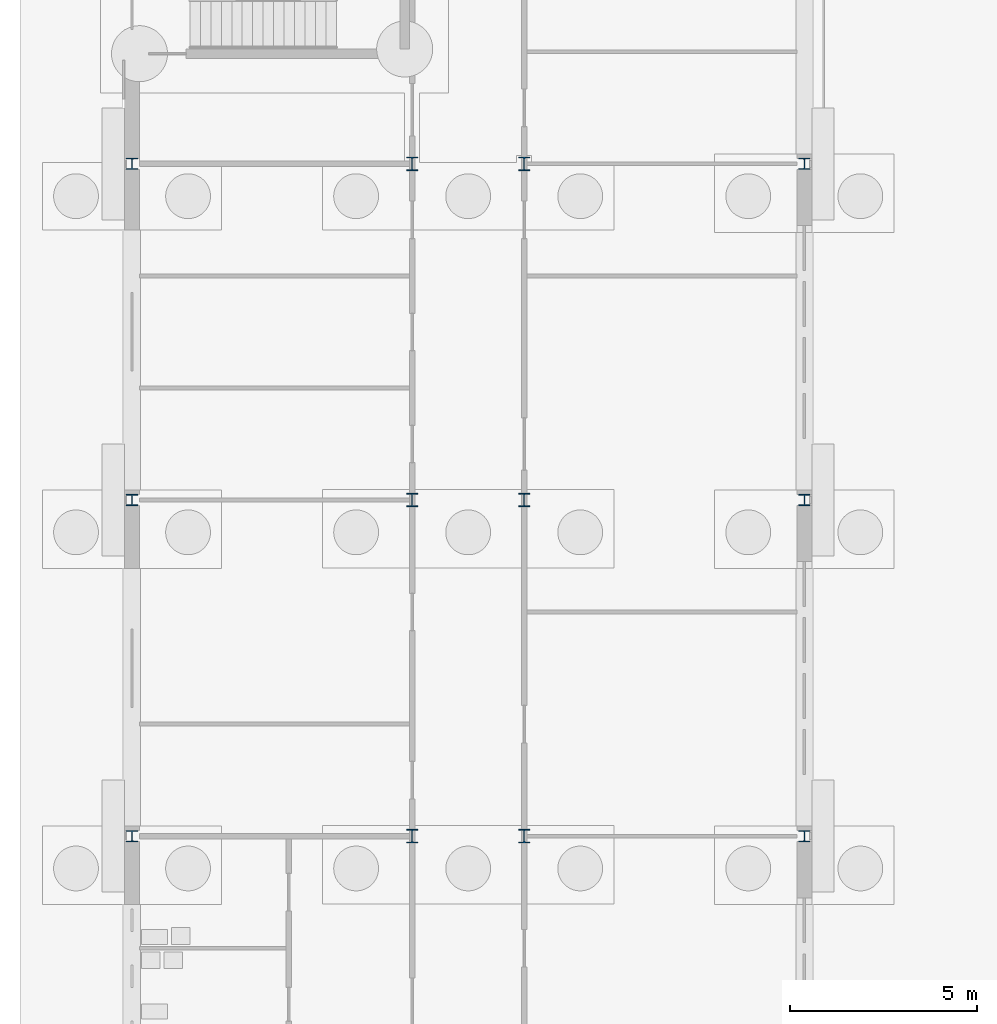
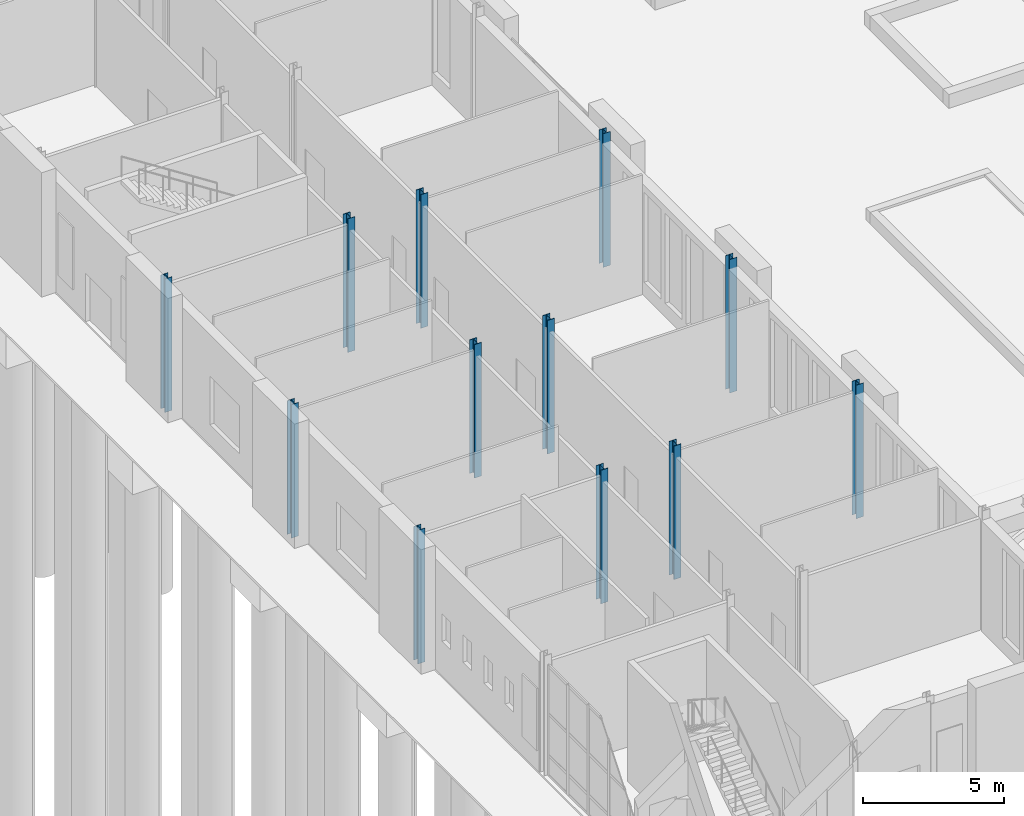
# One storey, part 12 of 168: 12 columns.
"""IFC4 building model written with IfcOpenShell, lengths in metres."""

from ifc_helpers import new_model, si_unit, direction, frame, origin, origin_2d, place, context, subcontext, project, spatial, i_section, extrude, material, material_profile, profile_set, type_object, element, save


model = new_model("IFC4")

# Units and contexts
model_context = context("Model", 3, precision=1e-05, world=origin(), true_north=direction((0.0, 1.0)))
body_context = subcontext(model_context, "Body", "Model", "MODEL_VIEW")
ifc_project = project(units=[si_unit("LENGTHUNIT", "METRE"), si_unit("AREAUNIT", "SQUARE_METRE"), si_unit("VOLUMEUNIT", "CUBIC_METRE"), si_unit("PLANEANGLEUNIT", "RADIAN"), si_unit("MASSUNIT", "GRAM", prefix="KILO")], contexts=[model_context])

# Site, building, storey
site_placement = place(None, origin())
site = spatial("IfcSite", under=ifc_project, at=site_placement, CompositionType="ELEMENT")
building_placement = place(site_placement, origin())
building = spatial("IfcBuilding", under=site, at=building_placement, Name="Golden Quay Civic Hall", CompositionType="ELEMENT")
storey_placement = place(building_placement, origin())
storey = spatial("IfcBuildingStorey", under=building, at=storey_placement, Name="L00", CompositionType="ELEMENT", Elevation=0.0)

# Columns
ifc_material_1 = material(Name="Steel S355", Category="steel")
ifc_material_profile_1 = material_profile(ifc_material_1, i_section(OverallWidth=0.300048828125, OverallDepth=0.300048828125, WebThickness=0.010986328125, FlangeThickness=0.01904296875, FilletRadius=0.027099609375, at=origin_2d()), Name="HEB 300")
ifc_profile_set_1 = profile_set([ifc_material_profile_1], Name="Steel S355")
column_type_1 = type_object("IfcColumnType", Name="Steel column HEB 300", PredefinedType="COLUMN", material=ifc_profile_set_1)
for number, where, z_axis, x_axis, name in (
    (1, (0.0, 9.0, -0.60009765625), (0.0, 0.0, 1.0), (1.0, 0.0, 0.0), "Column 0/9 L00"),
    (2, (0.0, 18.0, -0.60009765625), (0.0, 0.0, 1.0), (1.0, 0.0, 0.0), "Column 0/18 L00"),
    (3, (0.0, 27.0, -0.60009765625), (0.0, 0.0, 1.0), (1.0, 0.0, 0.0), "Column 0/27 L00"),
    (4, (18.0, 9.0, -0.60009765625), (0.0, 0.0, 1.0), (1.0, 0.0, 0.0), "Column 18/9 L00"),
    (5, (18.0, 18.0, -0.60009765625), (0.0, 0.0, 1.0), (1.0, 0.0, 0.0), "Column 18/18 L00"),
    (6, (18.0, 27.0, -0.60009765625), (0.0, 0.0, 1.0), (1.0, 0.0, 0.0), "Column 18/27 L00"),
):
    element("IfcColumn", number, at=place(storey_placement, frame(where, z_axis=z_axis, x_axis=x_axis)), inside=storey, type_object=column_type_1, Name=name, PredefinedType="COLUMN", context=body_context, shape_type="SweptSolid", body=[
        extrude(i_section(OverallWidth=0.300048828125, OverallDepth=0.300048828125, WebThickness=0.010986328125, FlangeThickness=0.01904296875, FilletRadius=0.027099609375, at=origin_2d()), origin(), (0.0, 0.0, 1.0), 5.800048828125),
    ])
ifc_material_2 = material(Name="Steel S355", Category="steel")
ifc_material_profile_2 = material_profile(ifc_material_2, i_section(OverallWidth=0.300048828125, OverallDepth=0.360107421875, WebThickness=0.012451171875, FlangeThickness=0.0224609375, FilletRadius=0.027099609375, at=origin_2d()), Name="HEB 360")
ifc_profile_set_2 = profile_set([ifc_material_profile_2], Name="Steel S355")
column_type_2 = type_object("IfcColumnType", Name="Steel column HEB 360", PredefinedType="COLUMN", material=ifc_profile_set_2)
for number, where, z_axis, x_axis, name in (
    (7, (7.5, 9.0, -0.60009765625), (0.0, 0.0, 1.0), (1.0, 0.0, 0.0), "Column 7.5/9 L00"),
    (8, (7.5, 18.0, -0.60009765625), (0.0, 0.0, 1.0), (1.0, 0.0, 0.0), "Column 7.5/18 L00"),
    (9, (7.5, 27.0, -0.60009765625), (0.0, 0.0, 1.0), (1.0, 0.0, 0.0), "Column 7.5/27 L00"),
    (10, (10.5, 9.0, -0.60009765625), (0.0, 0.0, 1.0), (1.0, 0.0, 0.0), "Column 10.5/9 L00"),
    (11, (10.5, 18.0, -0.60009765625), (0.0, 0.0, 1.0), (1.0, 0.0, 0.0), "Column 10.5/18 L00"),
    (12, (10.5, 27.0, -0.60009765625), (0.0, 0.0, 1.0), (1.0, 0.0, 0.0), "Column 10.5/27 L00"),
):
    element("IfcColumn", number, at=place(storey_placement, frame(where, z_axis=z_axis, x_axis=x_axis)), inside=storey, type_object=column_type_2, Name=name, PredefinedType="COLUMN", context=body_context, shape_type="SweptSolid", body=[
        extrude(i_section(OverallWidth=0.300048828125, OverallDepth=0.360107421875, WebThickness=0.012451171875, FlangeThickness=0.0224609375, FilletRadius=0.027099609375, at=origin_2d()), origin(), (0.0, 0.0, 1.0), 5.800048828125),
    ])

save(model, "model.ifc")
